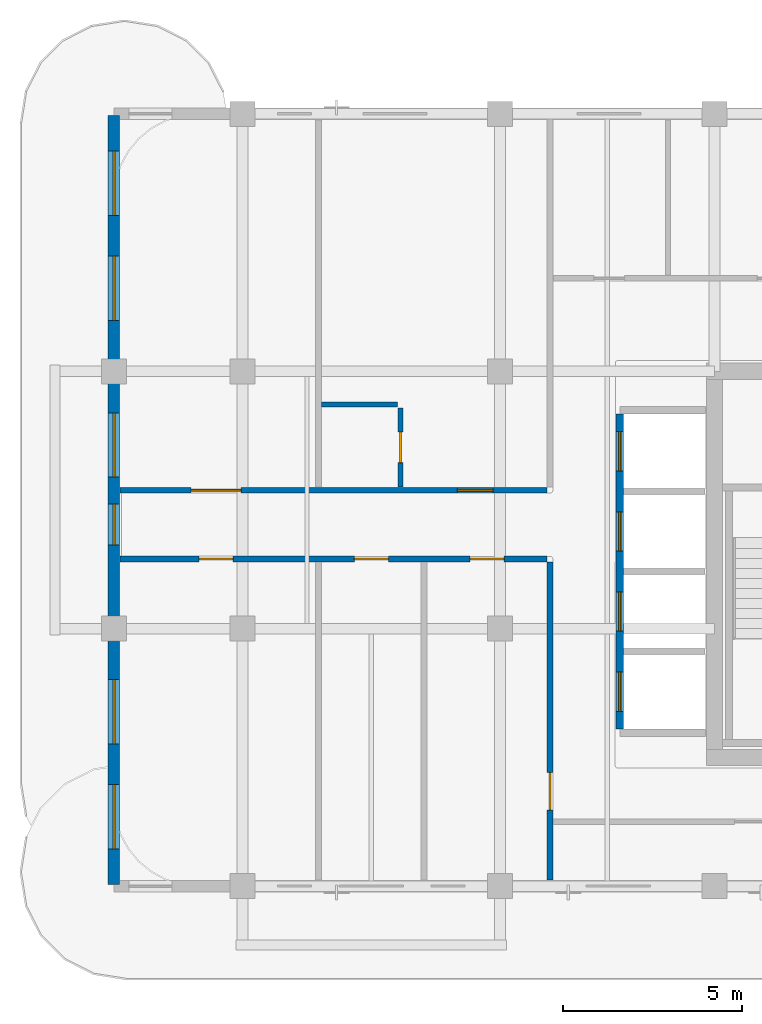
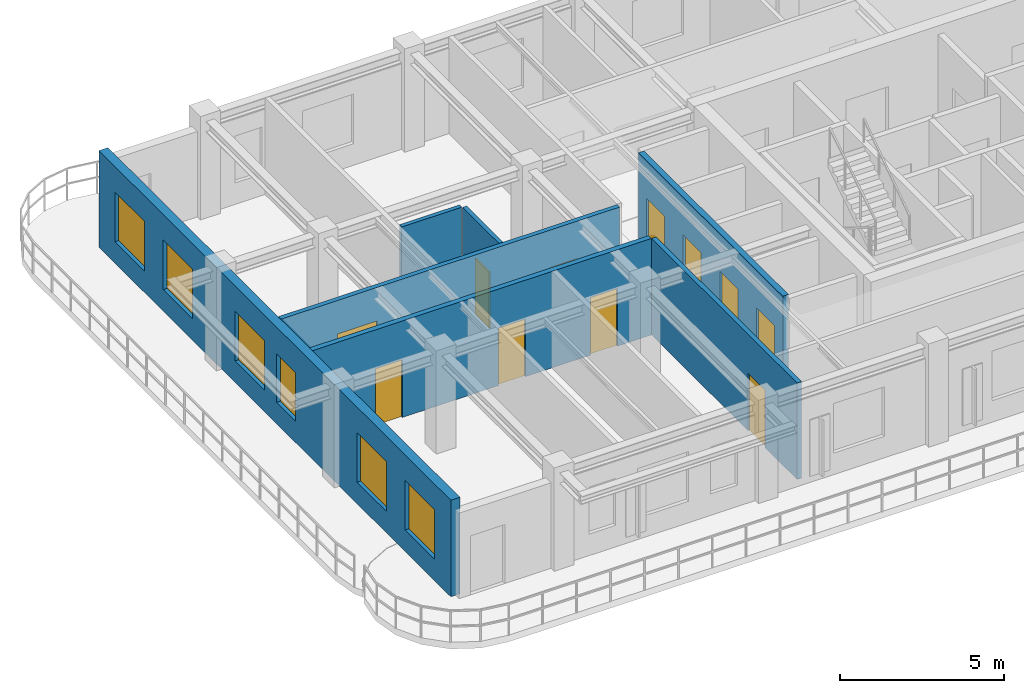
# One storey, part 2 of 8: 11 doors, 7 walls, 6 windows, 17 openings.
"""IFC4 building model written with IfcOpenShell, lengths in metres."""

from ifc_helpers import new_model, si_unit, derived_unit, direction, frame, frame_2d, origin, place, context, subcontext, project, spatial, rectangle, extrude, source, transform, mapped, material, layer, layer_set, type_object, type_shapes, element, fill, save


model = new_model("IFC4")

# Units and contexts
model_context = context("Model", 3, precision=1e-05, world=origin(), true_north=direction((0.0, 1.0)))
body_context = subcontext(model_context, "Body", "Model", "MODEL_VIEW")
ifc_project = project(units=[si_unit("LENGTHUNIT", "METRE"), si_unit("AREAUNIT", "SQUARE_METRE"), si_unit("VOLUMEUNIT", "CUBIC_METRE"), si_unit("PLANEANGLEUNIT", "RADIAN"), si_unit("MASSUNIT", "GRAM", prefix="KILO"), si_unit("THERMODYNAMICTEMPERATUREUNIT", "KELVIN"), si_unit("POWERUNIT", "WATT"), derived_unit("THERMALTRANSMITTANCEUNIT", [(si_unit("POWERUNIT", "WATT"), 1), (si_unit("AREAUNIT", "SQUARE_METRE"), -1), (si_unit("THERMODYNAMICTEMPERATUREUNIT", "KELVIN"), -1)])], contexts=[model_context])

# Site, building, storey
site_placement = place(None, origin())
site = spatial("IfcSite", under=ifc_project, at=site_placement, CompositionType="ELEMENT")
building_placement = place(site_placement, origin())
building = spatial("IfcBuilding", under=site, at=building_placement, Name="Zahravan Archway Hotel and Residences", CompositionType="ELEMENT")
storey_placement = place(building_placement, frame((0.0, 0.0, 286.60009765625)))
storey = spatial("IfcBuildingStorey", under=building, at=storey_placement, Name="L72", CompositionType="ELEMENT", Elevation=286.60009765625)

# Wall, openings, windows
ifc_material_1 = material(Name="Agra Buff Sandstone & Insulated Backup", Category="masonry")
ifc_layer_1 = layer(ifc_material_1, 0.320068359375, Name="Agra Buff Sandstone & Insulated Backup", Category="masonry")
ifc_layer_set_1 = layer_set([ifc_layer_1], Name="Agra Buff Sandstone & Insulated Backup")
wall_type_1 = type_object("IfcWallType", Name="EW-SAND-320", PredefinedType="SOLIDWALL", material=ifc_layer_set_1)
wall_1_placement = place(storey_placement, frame((18.0, 0.050048828125, 0.0), z_axis=(0.0, 0.0, 1.0), x_axis=(0.0, 1.0, 0.0)))
wall_1 = element("IfcWall", 1, at=wall_1_placement, inside=storey, type_object=wall_type_1, Name="L72 Exterior Sandstone Wall WA-W", PredefinedType="SOLIDWALL", context=body_context, shape_type="SweptSolid", body=[
    extrude(rectangle(XDim=21.5, YDim=0.320068359375, at=frame_2d((10.75, 0.0))), origin(), (0.0, 0.0, 1.0), 3.599853515625),
])
opening_1_placement = place(wall_1_placement, frame((0.989990234375, 0.0, 0.800048828125)))
opening_1 = element("IfcOpeningElement", 2, at=opening_1_placement, cuts=wall_1, Name="Opening W-02", PredefinedType="OPENING", context=body_context, shape_type="SweptSolid", body=[
    extrude(rectangle(XDim=1.800048828125, YDim=1.85009765625, at=frame_2d((0.89990234375, 0.925048828125))), frame((0.0, 0.169921875, 0.0), z_axis=(0.0, -1.0, 0.0), x_axis=(1.0, 0.0, 0.0)), (0.0, 0.0, 1.0), 0.340087890625),
])
opening_2_placement = place(wall_1_placement, frame((3.929931640625, 0.0, 0.800048828125)))
opening_2 = element("IfcOpeningElement", 3, at=opening_2_placement, cuts=wall_1, Name="Opening W-02", PredefinedType="OPENING", context=body_context, shape_type="SweptSolid", body=[
    extrude(rectangle(XDim=1.800048828125, YDim=1.85009765625, at=frame_2d((0.89990234375, 0.925048828125))), frame((0.0, 0.169921875, 0.0), z_axis=(0.0, -1.0, 0.0), x_axis=(1.0, 0.0, 0.0)), (0.0, 0.0, 1.0), 0.340087890625),
])
opening_3_placement = place(wall_1_placement, frame((9.485107421875, 0.0, 0.800048828125)))
opening_3 = element("IfcOpeningElement", 4, at=opening_3_placement, cuts=wall_1, Name="Opening W-05", PredefinedType="OPENING", context=body_context, shape_type="SweptSolid", body=[
    extrude(rectangle(XDim=1.14990234375, YDim=1.800048828125, at=frame_2d((0.574951171875, 0.89990234375))), frame((0.0, 0.169921875, 0.0), z_axis=(0.0, -1.0, 0.0), x_axis=(1.0, 0.0, 0.0)), (0.0, 0.0, 1.0), 0.340087890625),
])
opening_4_placement = place(wall_1_placement, frame((11.388916015625, 0.0, 0.800048828125)))
opening_4 = element("IfcOpeningElement", 5, at=opening_4_placement, cuts=wall_1, Name="Opening W-02", PredefinedType="OPENING", context=body_context, shape_type="SweptSolid", body=[
    extrude(rectangle(XDim=1.800048828125, YDim=1.85009765625, at=frame_2d((0.89990234375, 0.925048828125))), frame((0.0, 0.169921875, 0.0), z_axis=(0.0, -1.0, 0.0), x_axis=(1.0, 0.0, 0.0)), (0.0, 0.0, 1.0), 0.340087890625),
])
opening_5_placement = place(wall_1_placement, frame((15.77001953125, 0.0, 0.800048828125)))
opening_5 = element("IfcOpeningElement", 6, at=opening_5_placement, cuts=wall_1, Name="Opening W-02", PredefinedType="OPENING", context=body_context, shape_type="SweptSolid", body=[
    extrude(rectangle(XDim=1.800048828125, YDim=1.85009765625, at=frame_2d((0.89990234375, 0.925048828125))), frame((0.0, 0.169921875, 0.0), z_axis=(0.0, -1.0, 0.0), x_axis=(1.0, 0.0, 0.0)), (0.0, 0.0, 1.0), 0.340087890625),
])
opening_6_placement = place(wall_1_placement, frame((18.7099609375, 0.0, 0.800048828125)))
opening_6 = element("IfcOpeningElement", 7, at=opening_6_placement, cuts=wall_1, Name="Opening W-02", PredefinedType="OPENING", context=body_context, shape_type="SweptSolid", body=[
    extrude(rectangle(XDim=1.800048828125, YDim=1.85009765625, at=frame_2d((0.89990234375, 0.925048828125))), frame((0.0, 0.169921875, 0.0), z_axis=(0.0, -1.0, 0.0), x_axis=(1.0, 0.0, 0.0)), (0.0, 0.0, 1.0), 0.340087890625),
])
ifc_material_2 = material(Name="Bronze-Anodized Thermal-Break Aluminium & Low-E Glass", Category="aluminium")
window_type_1 = type_object("IfcWindowType", Name="WIN-TWR-1800", PartitioningType="DOUBLE_PANEL_VERTICAL", PredefinedType="WINDOW", material=ifc_material_2)
shared_shape_1 = source(origin(), body_context, "Body", "SweptSolid", [
    extrude(rectangle(XDim=1.800048828125, YDim=1.85009765625, at=frame_2d((0.89990234375, 0.925048828125))), frame((0.0, 0.030029296875, 0.0), z_axis=(0.0, -1.0, 0.0), x_axis=(1.0, 0.0, 0.0)), (0.0, 0.0, 1.0), 0.06005859375),
])
type_shapes(window_type_1, [shared_shape_1])
window_1_placement = place(opening_1_placement, origin())
window_1 = element("IfcWindow", 8, at=window_1_placement, inside=storey, type_object=window_type_1, Name="L72 Loggia Window 17", OverallHeight=1.85009765625, OverallWidth=1.800048828125, PartitioningType="DOUBLE_PANEL_VERTICAL", PredefinedType="WINDOW", context=body_context, shape_type="MappedRepresentation", body=[
    mapped(shared_shape_1, transform((0.0, 0.0, 0.0), scale=1.0)),
])
fill(opening_1, window_1)
window_2_placement = place(opening_2_placement, origin())
window_2 = element("IfcWindow", 9, at=window_2_placement, inside=storey, type_object=window_type_1, Name="L72 Loggia Window 18", OverallHeight=1.85009765625, OverallWidth=1.800048828125, PartitioningType="DOUBLE_PANEL_VERTICAL", PredefinedType="WINDOW", context=body_context, shape_type="MappedRepresentation", body=[
    mapped(shared_shape_1, transform((0.0, 0.0, 0.0), scale=1.0)),
])
fill(opening_2, window_2)
window_3_placement = place(opening_4_placement, origin())
window_3 = element("IfcWindow", 10, at=window_3_placement, inside=storey, type_object=window_type_1, Name="L72 Loggia Window 20", OverallHeight=1.85009765625, OverallWidth=1.800048828125, PartitioningType="DOUBLE_PANEL_VERTICAL", PredefinedType="WINDOW", context=body_context, shape_type="MappedRepresentation", body=[
    mapped(shared_shape_1, transform((0.0, 0.0, 0.0), scale=1.0)),
])
fill(opening_4, window_3)
window_4_placement = place(opening_5_placement, origin())
window_4 = element("IfcWindow", 11, at=window_4_placement, inside=storey, type_object=window_type_1, Name="L72 Loggia Window 21", OverallHeight=1.85009765625, OverallWidth=1.800048828125, PartitioningType="DOUBLE_PANEL_VERTICAL", PredefinedType="WINDOW", context=body_context, shape_type="MappedRepresentation", body=[
    mapped(shared_shape_1, transform((0.0, 0.0, 0.0), scale=1.0)),
])
fill(opening_5, window_4)
window_5_placement = place(opening_6_placement, origin())
window_5 = element("IfcWindow", 12, at=window_5_placement, inside=storey, type_object=window_type_1, Name="L72 Loggia Window 22", OverallHeight=1.85009765625, OverallWidth=1.800048828125, PartitioningType="DOUBLE_PANEL_VERTICAL", PredefinedType="WINDOW", context=body_context, shape_type="MappedRepresentation", body=[
    mapped(shared_shape_1, transform((0.0, 0.0, 0.0), scale=1.0)),
])
fill(opening_6, window_5)
window_type_2 = type_object("IfcWindowType", Name="WIN-TWR-1150", PartitioningType="SINGLE_PANEL", PredefinedType="WINDOW", material=ifc_material_2)
shared_shape_2 = source(origin(), body_context, "Body", "SweptSolid", [
    extrude(rectangle(XDim=1.14990234375, YDim=1.800048828125, at=frame_2d((0.574951171875, 0.89990234375))), frame((0.0, 0.030029296875, 0.0), z_axis=(0.0, -1.0, 0.0), x_axis=(1.0, 0.0, 0.0)), (0.0, 0.0, 1.0), 0.06005859375),
])
type_shapes(window_type_2, [shared_shape_2])
window_6_placement = place(opening_3_placement, origin())
window_6 = element("IfcWindow", 13, at=window_6_placement, inside=storey, type_object=window_type_2, Name="L72 Loggia Window 19", OverallHeight=1.800048828125, OverallWidth=1.14990234375, PartitioningType="SINGLE_PANEL", PredefinedType="WINDOW", context=body_context, shape_type="MappedRepresentation", body=[
    mapped(shared_shape_2, transform((0.0, 0.0, 0.0), scale=1.0)),
])
fill(opening_3, window_6)

# Wall, openings, doors
ifc_material_3 = material(Name="Fire-Rated Gypsum & Concrete Block", Category="concrete")
ifc_layer_2 = layer(ifc_material_3, 0.159912109375, Name="Fire-Rated Gypsum & Concrete Block", Category="concrete")
ifc_layer_set_2 = layer_set([ifc_layer_2], Name="Fire-Rated Gypsum & Concrete Block")
wall_type_2 = type_object("IfcWallType", Name="PW-CORR-160", PredefinedType="PARTITIONING", material=ifc_layer_set_2)
wall_2_placement = place(storey_placement, frame((18.16796875, 11.070068359375, 0.0), z_axis=(0.0, 0.0, 1.0), x_axis=(1.0, 0.0, 0.0)))
wall_2 = element("IfcWall", 14, at=wall_2_placement, inside=storey, type_object=wall_type_2, Name="L72 Partition WA-CN", PredefinedType="PARTITIONING", context=body_context, shape_type="SweptSolid", body=[
    extrude(rectangle(XDim=11.942138671875, YDim=0.159912109375, at=frame_2d((5.97119140625, 0.0))), origin(), (0.0, 0.0, 1.0), 3.599853515625),
])
opening_7_placement = place(wall_2_placement, frame((1.991943359375, 0.0, 0.0)))
opening_7 = element("IfcOpeningElement", 15, at=opening_7_placement, cuts=wall_2, Name="Opening D-P1", PredefinedType="OPENING", context=body_context, shape_type="SweptSolid", body=[
    extrude(rectangle(XDim=1.39990234375, YDim=2.35009765625, at=frame_2d((0.699951171875, 1.175048828125))), frame((0.0, 0.08984375, 0.0), z_axis=(0.0, -1.0, 0.0), x_axis=(1.0, 0.0, 0.0)), (0.0, 0.0, 1.0), 0.179931640625),
])
opening_8_placement = place(wall_2_placement, frame((9.44189453125, 0.0, 0.0)))
opening_8 = element("IfcOpeningElement", 16, at=opening_8_placement, cuts=wall_2, Name="Opening D-U2", PredefinedType="OPENING", context=body_context, shape_type="SweptSolid", body=[
    extrude(rectangle(XDim=1.0, YDim=2.199951171875, at=frame_2d((0.5, 1.10009765625))), frame((0.0, 0.08984375, 0.0), z_axis=(0.0, -1.0, 0.0), x_axis=(1.0, 0.0, 0.0)), (0.0, 0.0, 1.0), 0.179931640625),
])
ifc_material_4 = material(Name="Bronze-Anodized Glazed Aluminium", Category="aluminium")
door_type_1 = type_object("IfcDoorType", Name="ID-PUBLIC-1400", OperationType="DOUBLE_DOOR_SINGLE_SWING", PredefinedType="DOOR", material=ifc_material_4)
shared_shape_3 = source(origin(), body_context, "Body", "SweptSolid", [
    extrude(rectangle(XDim=1.39990234375, YDim=2.35009765625, at=frame_2d((0.699951171875, 1.175048828125))), frame((0.0, 0.02490234375, 0.0), z_axis=(0.0, -1.0, 0.0), x_axis=(1.0, 0.0, 0.0)), (0.0, 0.0, 1.0), 0.050048828125),
])
type_shapes(door_type_1, [shared_shape_3])
door_1_placement = place(opening_7_placement, origin())
door_1 = element("IfcDoor", 17, at=door_1_placement, inside=storey, type_object=door_type_1, Name="L72 North Library Door", OperationType="DOUBLE_DOOR_SINGLE_SWING", OverallHeight=2.35009765625, OverallWidth=1.39990234375, PredefinedType="DOOR", context=body_context, shape_type="MappedRepresentation", body=[
    mapped(shared_shape_3, transform((0.0, 0.0, 0.0), scale=1.0)),
])
fill(opening_7, door_1)
ifc_material_5 = material(Name="Hardwood Veneer Timber", Category="wood")
door_type_2 = type_object("IfcDoorType", Name="ID-UNIT-1000", OperationType="NOTDEFINED", PredefinedType="DOOR", material=ifc_material_5)
shared_shape_4 = source(origin(), body_context, "Body", "SweptSolid", [
    extrude(rectangle(XDim=1.0, YDim=2.199951171875, at=frame_2d((0.5, 1.10009765625))), frame((0.0, 0.02490234375, 0.0), z_axis=(0.0, -1.0, 0.0), x_axis=(1.0, 0.0, 0.0)), (0.0, 0.0, 1.0), 0.050048828125),
])
type_shapes(door_type_2, [shared_shape_4])
door_2_placement = place(opening_8_placement, origin())
door_2 = element("IfcDoor", 18, at=door_2_placement, inside=storey, type_object=door_type_2, Name="L72 Hotel Guestroom 89 Entrance Door", OperationType="SINGLE_SWING_RIGHT", OverallHeight=2.199951171875, OverallWidth=1.0, PredefinedType="DOOR", context=body_context, shape_type="MappedRepresentation", body=[
    mapped(shared_shape_4, transform((0.0, 0.0, 0.0), scale=1.0)),
])
fill(opening_8, door_2)

# Wall, opening, door
wall_3_placement = place(storey_placement, frame((30.199951171875, 0.16796875, 0.0), z_axis=(0.0, 0.0, 1.0), x_axis=(0.0, 1.0, 0.0)))
wall_3 = element("IfcWall", 19, at=wall_3_placement, inside=storey, type_object=wall_type_2, Name="L72 Partition WA-SRW", PredefinedType="PARTITIONING", context=body_context, shape_type="SweptSolid", body=[
    extrude(rectangle(XDim=8.89208984375, YDim=0.159912109375, at=frame_2d((4.446044921875, 0.0))), origin(), (0.0, 0.0, 1.0), 3.599853515625),
])
opening_9_placement = place(wall_3_placement, frame((1.95703125, 0.0, 0.0)))
opening_9 = element("IfcOpeningElement", 20, at=opening_9_placement, cuts=wall_3, Name="Opening FD-L2", PredefinedType="OPENING", context=body_context, shape_type="SweptSolid", body=[
    extrude(rectangle(XDim=1.050048828125, YDim=2.14990234375, at=frame_2d((0.52490234375, 1.074951171875))), frame((0.0, 0.08984375, 0.0), z_axis=(0.0, -1.0, 0.0), x_axis=(1.0, 0.0, 0.0)), (0.0, 0.0, 1.0), 0.179931640625),
])
ifc_material_6 = material(Name="Fire-Rated Painted Steel", Category="steel")
door_type_3 = type_object("IfcDoorType", Name="FD-LOBBY-1100", OperationType="NOTDEFINED", PredefinedType="DOOR", material=ifc_material_6)
shared_shape_5 = source(origin(), body_context, "Body", "SweptSolid", [
    extrude(rectangle(XDim=1.050048828125, YDim=2.14990234375, at=frame_2d((0.52490234375, 1.074951171875))), frame((0.0, 0.02490234375, 0.0), z_axis=(0.0, -1.0, 0.0), x_axis=(1.0, 0.0, 0.0)), (0.0, 0.0, 1.0), 0.050048828125),
])
type_shapes(door_type_3, [shared_shape_5])
door_3_placement = place(opening_9_placement, origin())
door_3 = element("IfcDoor", 21, at=door_3_placement, inside=storey, type_object=door_type_3, Name="L72 South Riser Corridor Door", OperationType="SINGLE_SWING_LEFT", OverallHeight=2.14990234375, OverallWidth=1.050048828125, PredefinedType="DOOR", context=body_context, shape_type="MappedRepresentation", body=[
    mapped(shared_shape_5, transform((0.0, 0.0, 0.0), scale=1.0)),
])
fill(opening_9, door_3)

# Wall, openings, doors
ifc_layer_3 = layer(ifc_material_3, 0.179931640625, Name="Fire-Rated Gypsum & Concrete Block", Category="concrete")
ifc_layer_set_3 = layer_set([ifc_layer_3], Name="Fire-Rated Gypsum & Concrete Block")
wall_type_3 = type_object("IfcWallType", Name="PW-CORR-180", PredefinedType="PARTITIONING", material=ifc_layer_set_3)
wall_4_placement = place(storey_placement, frame((18.16796875, 9.14990234375, 0.0), z_axis=(0.0, 0.0, 1.0), x_axis=(1.0, 0.0, 0.0)))
wall_4 = element("IfcWall", 22, at=wall_4_placement, inside=storey, type_object=wall_type_3, Name="L72 Partition WA-CS", PredefinedType="PARTITIONING", context=body_context, shape_type="SweptSolid", body=[
    extrude(rectangle(XDim=11.942138671875, YDim=0.179931640625, at=frame_2d((5.97119140625, 0.0))), origin(), (0.0, 0.0, 1.0), 3.599853515625),
])
opening_10_placement = place(wall_4_placement, frame((2.217041015625, 0.0, 0.0)))
opening_10 = element("IfcOpeningElement", 23, at=opening_10_placement, cuts=wall_4, Name="Opening D-I1", PredefinedType="OPENING", context=body_context, shape_type="SweptSolid", body=[
    extrude(rectangle(XDim=0.949951171875, YDim=2.14990234375, at=frame_2d((0.47509765625, 1.074951171875))), frame((0.0, 0.10009765625, 0.0), z_axis=(0.0, -1.0, 0.0), x_axis=(1.0, 0.0, 0.0)), (0.0, 0.0, 1.0), 0.199951171875),
])
opening_11_placement = place(wall_4_placement, frame((6.556884765625, 0.0, 0.0)))
opening_11 = element("IfcOpeningElement", 24, at=opening_11_placement, cuts=wall_4, Name="Opening D-I1", PredefinedType="OPENING", context=body_context, shape_type="SweptSolid", body=[
    extrude(rectangle(XDim=0.949951171875, YDim=2.14990234375, at=frame_2d((0.47509765625, 1.074951171875))), frame((0.0, 0.10009765625, 0.0), z_axis=(0.0, -1.0, 0.0), x_axis=(1.0, 0.0, 0.0)), (0.0, 0.0, 1.0), 0.199951171875),
])
opening_12_placement = place(wall_4_placement, frame((9.797119140625, 0.0, 0.0)))
opening_12 = element("IfcOpeningElement", 25, at=opening_12_placement, cuts=wall_4, Name="Opening D-I1", PredefinedType="OPENING", context=body_context, shape_type="SweptSolid", body=[
    extrude(rectangle(XDim=0.949951171875, YDim=2.14990234375, at=frame_2d((0.47509765625, 1.074951171875))), frame((0.0, 0.10009765625, 0.0), z_axis=(0.0, -1.0, 0.0), x_axis=(1.0, 0.0, 0.0)), (0.0, 0.0, 1.0), 0.199951171875),
])
door_type_4 = type_object("IfcDoorType", Name="ID-INT-950", OperationType="NOTDEFINED", PredefinedType="DOOR", material=ifc_material_5)
shared_shape_6 = source(origin(), body_context, "Body", "SweptSolid", [
    extrude(rectangle(XDim=0.949951171875, YDim=2.14990234375, at=frame_2d((0.47509765625, 1.074951171875))), frame((0.0, 0.02490234375, 0.0), z_axis=(0.0, -1.0, 0.0), x_axis=(1.0, 0.0, 0.0)), (0.0, 0.0, 1.0), 0.050048828125),
])
type_shapes(door_type_4, [shared_shape_6])
door_4_placement = place(opening_10_placement, origin())
door_4 = element("IfcDoor", 26, at=door_4_placement, inside=storey, type_object=door_type_4, Name="L72 Therapy Suite 1 Door", OperationType="SINGLE_SWING_RIGHT", OverallHeight=2.14990234375, OverallWidth=0.949951171875, PredefinedType="DOOR", context=body_context, shape_type="MappedRepresentation", body=[
    mapped(shared_shape_6, transform((0.0, 0.0, 0.0), scale=1.0)),
])
fill(opening_10, door_4)
door_5_placement = place(opening_11_placement, origin())
door_5 = element("IfcDoor", 27, at=door_5_placement, inside=storey, type_object=door_type_4, Name="L72 Therapy Suite 2 Door", OperationType="SINGLE_SWING_LEFT", OverallHeight=2.14990234375, OverallWidth=0.949951171875, PredefinedType="DOOR", context=body_context, shape_type="MappedRepresentation", body=[
    mapped(shared_shape_6, transform((0.0, 0.0, 0.0), scale=1.0)),
])
fill(opening_11, door_5)
door_6_placement = place(opening_12_placement, origin())
door_6 = element("IfcDoor", 28, at=door_6_placement, inside=storey, type_object=door_type_4, Name="L72 Wellness Clinic Door", OperationType="SINGLE_SWING_RIGHT", OverallHeight=2.14990234375, OverallWidth=0.949951171875, PredefinedType="DOOR", context=body_context, shape_type="MappedRepresentation", body=[
    mapped(shared_shape_6, transform((0.0, 0.0, 0.0), scale=1.0)),
])
fill(opening_12, door_6)

ifc_layer_4 = layer(ifc_material_3, 0.199951171875, Name="Fire-Rated Gypsum & Concrete Block", Category="concrete")
ifc_layer_set_4 = layer_set([ifc_layer_4], Name="Fire-Rated Gypsum & Concrete Block")
wall_type_4 = type_object("IfcWallType", Name="PW-SHAFT-200", PredefinedType="PARTITIONING", material=ifc_layer_set_4)
wall_5_placement = place(storey_placement, frame((32.14990234375, 4.389892578125, 0.0), z_axis=(0.0, 0.0, 1.0), x_axis=(0.0, 1.0, 0.0)))
wall_5 = element("IfcWall", 29, at=wall_5_placement, inside=storey, type_object=wall_type_4, Name="L72 Partition B3-W", PredefinedType="PARTITIONING", context=body_context, shape_type="SweptSolid", body=[
    extrude(rectangle(XDim=8.820068359375, YDim=0.199951171875, at=frame_2d((4.41015625, 0.0))), origin(), (0.0, 0.0, 1.0), 3.599853515625),
])
opening_13_placement = place(wall_5_placement, frame((0.5, 0.0, 0.0)))
opening_13 = element("IfcOpeningElement", 30, at=opening_13_placement, cuts=wall_5, Name="Opening LD", PredefinedType="OPENING", context=body_context, shape_type="SweptSolid", body=[
    extrude(rectangle(XDim=1.10009765625, YDim=2.199951171875, at=frame_2d((0.550048828125, 1.10009765625))), frame((0.0, 0.10986328125, 0.0), z_axis=(0.0, -1.0, 0.0), x_axis=(1.0, 0.0, 0.0)), (0.0, 0.0, 1.0), 0.219970703125),
])
opening_14_placement = place(wall_5_placement, frame((2.739990234375, 0.0, 0.0)))
opening_14 = element("IfcOpeningElement", 31, at=opening_14_placement, cuts=wall_5, Name="Opening LD", PredefinedType="OPENING", context=body_context, shape_type="SweptSolid", body=[
    extrude(rectangle(XDim=1.10009765625, YDim=2.199951171875, at=frame_2d((0.550048828125, 1.10009765625))), frame((0.0, 0.10986328125, 0.0), z_axis=(0.0, -1.0, 0.0), x_axis=(1.0, 0.0, 0.0)), (0.0, 0.0, 1.0), 0.219970703125),
])
opening_15_placement = place(wall_5_placement, frame((4.97998046875, 0.0, 0.0)))
opening_15 = element("IfcOpeningElement", 32, at=opening_15_placement, cuts=wall_5, Name="Opening LD", PredefinedType="OPENING", context=body_context, shape_type="SweptSolid", body=[
    extrude(rectangle(XDim=1.10009765625, YDim=2.199951171875, at=frame_2d((0.550048828125, 1.10009765625))), frame((0.0, 0.10986328125, 0.0), z_axis=(0.0, -1.0, 0.0), x_axis=(1.0, 0.0, 0.0)), (0.0, 0.0, 1.0), 0.219970703125),
])
opening_16_placement = place(wall_5_placement, frame((7.219970703125, 0.0, 0.0)))
opening_16 = element("IfcOpeningElement", 33, at=opening_16_placement, cuts=wall_5, Name="Opening LD", PredefinedType="OPENING", context=body_context, shape_type="SweptSolid", body=[
    extrude(rectangle(XDim=1.10009765625, YDim=2.199951171875, at=frame_2d((0.550048828125, 1.10009765625))), frame((0.0, 0.10986328125, 0.0), z_axis=(0.0, -1.0, 0.0), x_axis=(1.0, 0.0, 0.0)), (0.0, 0.0, 1.0), 0.219970703125),
])
ifc_material_7 = material(Name="Brushed Stainless Steel", Category="steel")
door_type_5 = type_object("IfcDoorType", Name="DR-LIFT-LD", OperationType="SLIDING_TO_LEFT", PredefinedType="DOOR", material=ifc_material_7)
shared_shape_7 = source(origin(), body_context, "Body", "SweptSolid", [
    extrude(rectangle(XDim=1.10009765625, YDim=2.199951171875, at=frame_2d((0.550048828125, 1.10009765625))), frame((0.0, 0.02490234375, 0.0), z_axis=(0.0, -1.0, 0.0), x_axis=(1.0, 0.0, 0.0)), (0.0, 0.0, 1.0), 0.050048828125),
])
type_shapes(door_type_5, [shared_shape_7])
door_7_placement = place(opening_13_placement, origin())
door_7 = element("IfcDoor", 34, at=door_7_placement, inside=storey, type_object=door_type_5, Name="L72 Lift LP-7 Sliding Landing Door", OperationType="SLIDING_TO_LEFT", OverallHeight=2.199951171875, OverallWidth=1.10009765625, PredefinedType="DOOR", context=body_context, shape_type="MappedRepresentation", body=[
    mapped(shared_shape_7, transform((0.0, 0.0, 0.0), scale=1.0)),
])
fill(opening_13, door_7)
door_8_placement = place(opening_14_placement, origin())
door_8 = element("IfcDoor", 35, at=door_8_placement, inside=storey, type_object=door_type_5, Name="L72 Lift LP-8 Sliding Landing Door", OperationType="SLIDING_TO_LEFT", OverallHeight=2.199951171875, OverallWidth=1.10009765625, PredefinedType="DOOR", context=body_context, shape_type="MappedRepresentation", body=[
    mapped(shared_shape_7, transform((0.0, 0.0, 0.0), scale=1.0)),
])
fill(opening_14, door_8)
door_9_placement = place(opening_15_placement, origin())
door_9 = element("IfcDoor", 36, at=door_9_placement, inside=storey, type_object=door_type_5, Name="L72 Lift LP-9 Sliding Landing Door", OperationType="SLIDING_TO_LEFT", OverallHeight=2.199951171875, OverallWidth=1.10009765625, PredefinedType="DOOR", context=body_context, shape_type="MappedRepresentation", body=[
    mapped(shared_shape_7, transform((0.0, 0.0, 0.0), scale=1.0)),
])
fill(opening_15, door_9)
door_10_placement = place(opening_16_placement, origin())
door_10 = element("IfcDoor", 37, at=door_10_placement, inside=storey, type_object=door_type_5, Name="L72 Lift LP-10 Sliding Landing Door", OperationType="SLIDING_TO_LEFT", OverallHeight=2.199951171875, OverallWidth=1.10009765625, PredefinedType="DOOR", context=body_context, shape_type="MappedRepresentation", body=[
    mapped(shared_shape_7, transform((0.0, 0.0, 0.0), scale=1.0)),
])
fill(opening_16, door_10)

# Wall, opening, door
ifc_material_8 = material(Name="Moisture-Resistant Blockwork", Category="masonry")
ifc_layer_5 = layer(ifc_material_8, 0.139892578125, Name="Moisture-Resistant Blockwork", Category="masonry")
ifc_layer_set_5 = layer_set([ifc_layer_5], Name="Moisture-Resistant Blockwork")
wall_type_5 = type_object("IfcWallType", Name="PW-WET-140", PredefinedType="PARTITIONING", material=ifc_layer_set_5)
wall_6_placement = place(storey_placement, frame((26.02001953125, 11.159912109375, 0.0), z_axis=(0.0, 0.0, 1.0), x_axis=(0.0, 1.0, 0.0)))
wall_6 = element("IfcWall", 38, at=wall_6_placement, inside=storey, type_object=wall_type_5, Name="L72 Partition HKB-V89", PredefinedType="PARTITIONING", context=body_context, shape_type="SweptSolid", body=[
    extrude(rectangle(XDim=2.219970703125, YDim=0.139892578125, at=frame_2d((1.10986328125, 0.0))), origin(), (0.0, 0.0, 1.0), 3.599853515625),
])
opening_17_placement = place(wall_6_placement, frame((0.68505859375, 0.0, 0.0)))
opening_17 = element("IfcOpeningElement", 39, at=opening_17_placement, cuts=wall_6, Name="Opening D-B1", PredefinedType="OPENING", context=body_context, shape_type="SweptSolid", body=[
    extrude(rectangle(XDim=0.85009765625, YDim=2.10009765625, at=frame_2d((0.425048828125, 1.050048828125))), frame((0.0, 0.080078125, 0.0), z_axis=(0.0, -1.0, 0.0), x_axis=(1.0, 0.0, 0.0)), (0.0, 0.0, 1.0), 0.159912109375),
])
door_type_6 = type_object("IfcDoorType", Name="ID-BATH-850", OperationType="NOTDEFINED", PredefinedType="DOOR", material=ifc_material_5)
shared_shape_8 = source(origin(), body_context, "Body", "SweptSolid", [
    extrude(rectangle(XDim=0.85009765625, YDim=2.10009765625, at=frame_2d((0.425048828125, 1.050048828125))), frame((0.0, 0.02490234375, 0.0), z_axis=(0.0, -1.0, 0.0), x_axis=(1.0, 0.0, 0.0)), (0.0, 0.0, 1.0), 0.050048828125),
])
type_shapes(door_type_6, [shared_shape_8])
door_11_placement = place(opening_17_placement, origin())
door_11 = element("IfcDoor", 40, at=door_11_placement, inside=storey, type_object=door_type_6, Name="L72 Guestroom 89 En-Suite Door", OperationType="SINGLE_SWING_LEFT", OverallHeight=2.10009765625, OverallWidth=0.85009765625, PredefinedType="DOOR", context=body_context, shape_type="MappedRepresentation", body=[
    mapped(shared_shape_8, transform((0.0, 0.0, 0.0), scale=1.0)),
])
fill(opening_17, door_11)

# Wall
wall_7_placement = place(storey_placement, frame((23.81005859375, 13.469970703125, 0.0), z_axis=(0.0, 0.0, 1.0), x_axis=(1.0, 0.0, 0.0)))
element("IfcWall", 41, at=wall_7_placement, inside=storey, type_object=wall_type_5, Name="L72 Partition HKB-H89", PredefinedType="PARTITIONING", context=body_context, shape_type="SweptSolid", body=[
    extrude(rectangle(XDim=2.119873046875, YDim=0.139892578125, at=frame_2d((1.06005859375, 0.0))), origin(), (0.0, 0.0, 1.0), 3.599853515625),
])

save(model, "model.ifc")
